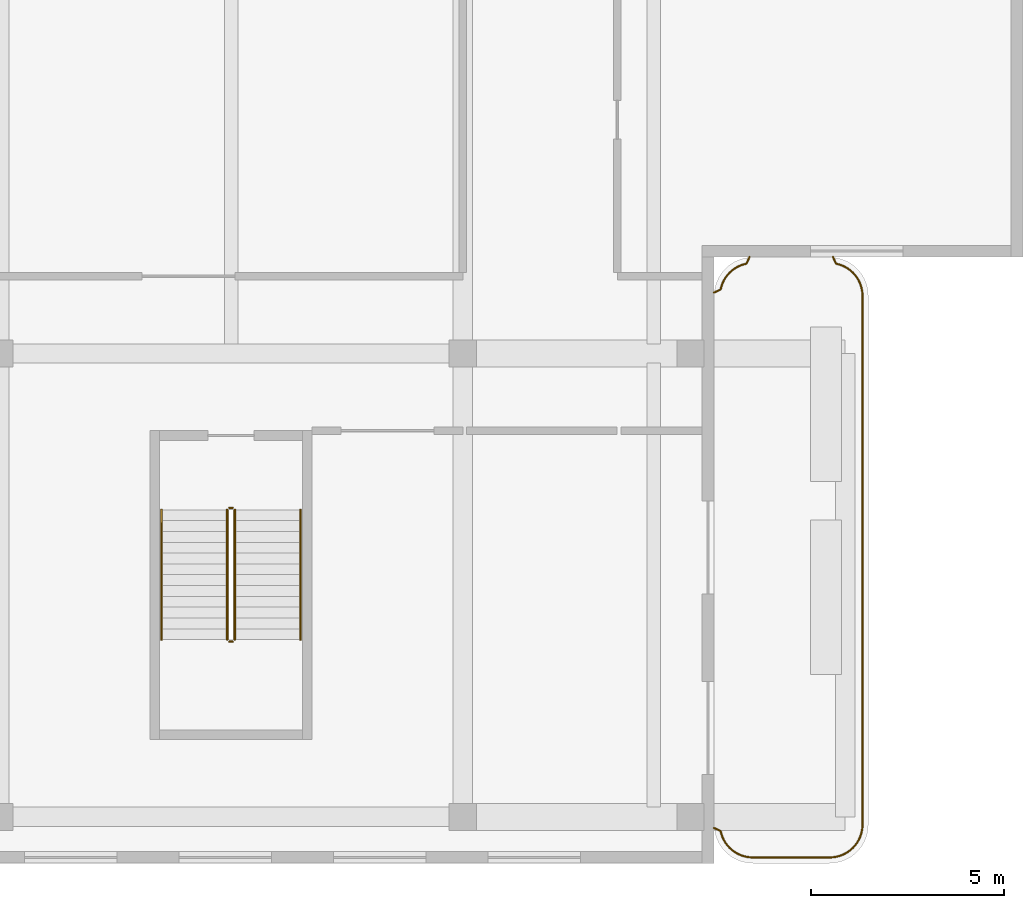
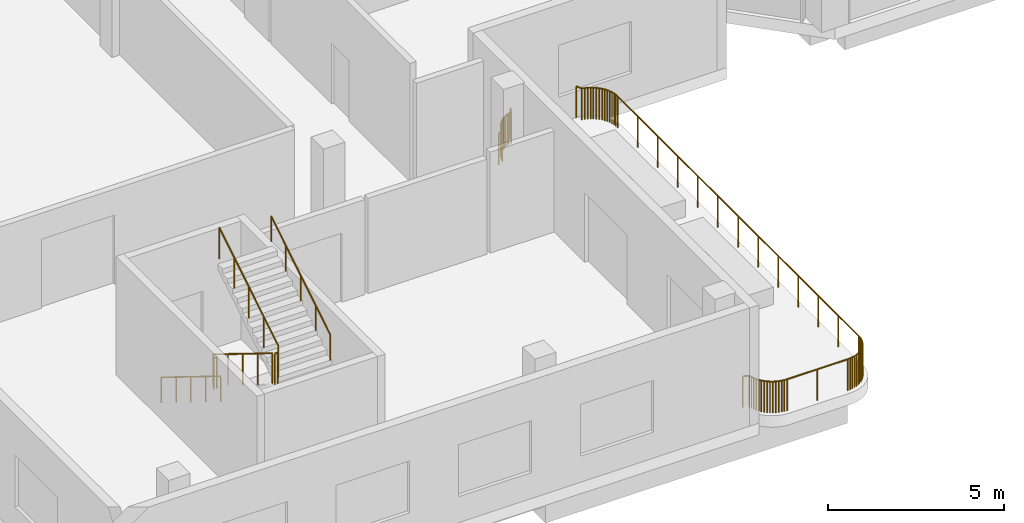
# One storey, part 28 of 36: 8 railings.
"""IFC4 building model written with IfcOpenShell, lengths in metres."""

from ifc_helpers import new_model, si_unit, direction, frame, origin, origin_2d, place, context, subcontext, project, spatial, circle, extrude, material, type_object, element, save


model = new_model("IFC4")

# Units and contexts
model_context = context("Model", 3, precision=1e-05, world=origin(), true_north=direction((0.0, 1.0)))
body_context = subcontext(model_context, "Body", "Model", "MODEL_VIEW")
ifc_project = project(units=[si_unit("LENGTHUNIT", "METRE"), si_unit("AREAUNIT", "SQUARE_METRE"), si_unit("VOLUMEUNIT", "CUBIC_METRE"), si_unit("PLANEANGLEUNIT", "RADIAN"), si_unit("MASSUNIT", "GRAM", prefix="KILO")], contexts=[model_context])

# Site, building, storey
site_placement = place(None, origin())
site = spatial("IfcSite", under=ifc_project, at=site_placement, CompositionType="ELEMENT")
building_placement = place(site_placement, origin())
building = spatial("IfcBuilding", under=site, at=building_placement, Name="Kilnfold Tower and Market Hall", CompositionType="ELEMENT")
storey_placement = place(building_placement, frame((0.0, 0.0, 18.0)))
storey = spatial("IfcBuildingStorey", under=building, at=storey_placement, Name="L03", CompositionType="ELEMENT", Elevation=18.0)

# Railings
ifc_material_1 = material(Name="Steel S355", Category="steel")
railing_type_1 = type_object("IfcRailingType", Name="HALL STAIR GUARD 1100", PredefinedType="GUARDRAIL", material=ifc_material_1)
railing_1_placement = place(storey_placement, frame((-48.75, -34.699951171875, 0.173095703125)))
element("IfcRailing", 1, at=railing_1_placement, inside=storey, type_object=railing_type_1, Name="L03 MS1 stair guard 1", PredefinedType="GUARDRAIL", context=body_context, shape_type="SweptSolid", body=[
    extrude(circle(Radius=0.02392578125, at=origin_2d()), frame((0.0, 0.0, 1.076171875), z_axis=(0.0, -0.850623216509, 0.525775754039), x_axis=(1.0, 0.0, 0.0)), (0.0, 0.0, 1.0), 3.9501953125),
    extrude(circle(Radius=0.02099609375, at=origin_2d()), origin(), (0.0, 0.0, 1.0), 1.052001953125),
    extrude(circle(Radius=0.02099609375, at=origin_2d()), frame((0.0, -0.840087890625, 0.519287109375)), (0.0, 0.0, 1.0), 1.052001953125),
    extrude(circle(Radius=0.02099609375, at=origin_2d()), frame((0.0, -1.68017578125, 1.03857421875)), (0.0, 0.0, 1.0), 1.052001953125),
    extrude(circle(Radius=0.02099609375, at=origin_2d()), frame((0.0, -2.52001953125, 1.5576171875)), (0.0, 0.0, 1.0), 1.052001953125),
    extrude(circle(Radius=0.02099609375, at=origin_2d()), frame((0.0, -3.360107421875, 2.076904296875)), (0.0, 0.0, 1.0), 1.052001953125),
])
railing_2_placement = place(storey_placement, frame((-48.699951171875, -38.110107421875, 2.25)))
element("IfcRailing", 2, at=railing_2_placement, inside=storey, type_object=railing_type_1, Name="L03 MS1 stair guard 2", PredefinedType="GUARDRAIL", context=body_context, shape_type="SweptSolid", body=[
    extrude(circle(Radius=0.02392578125, at=origin_2d()), frame((0.0, 0.0, 1.076171875), z_axis=(1.0, 0.0, 0.0), x_axis=(0.0, 1.0, 0.0)), (0.0, 0.0, 1.0), 0.099853515625),
    extrude(circle(Radius=0.02099609375, at=origin_2d()), origin(), (0.0, 0.0, 1.0), 1.052001953125),
    extrude(circle(Radius=0.02099609375, at=origin_2d()), frame((0.099853515625, 0.0, 0.0)), (0.0, 0.0, 1.0), 1.052001953125),
])
railing_3_placement = place(storey_placement, frame((-48.550048828125, -38.06005859375, 2.423095703125)))
element("IfcRailing", 3, at=railing_3_placement, inside=storey, type_object=railing_type_1, Name="L03 MS1 stair guard 3", PredefinedType="GUARDRAIL", context=body_context, shape_type="SweptSolid", body=[
    extrude(circle(Radius=0.02392578125, at=origin_2d()), frame((0.0, 0.0, 1.076171875), z_axis=(0.0, 0.850623216509, 0.525775754039), x_axis=(-1.0, 0.0, 0.0)), (0.0, 0.0, 1.0), 3.9501953125),
    extrude(circle(Radius=0.02099609375, at=origin_2d()), origin(), (0.0, 0.0, 1.0), 1.052001953125),
    extrude(circle(Radius=0.02099609375, at=origin_2d()), frame((0.0, 0.840087890625, 0.519287109375)), (0.0, 0.0, 1.0), 1.052001953125),
    extrude(circle(Radius=0.02099609375, at=origin_2d()), frame((0.0, 1.68017578125, 1.03857421875)), (0.0, 0.0, 1.0), 1.052001953125),
    extrude(circle(Radius=0.02099609375, at=origin_2d()), frame((0.0, 2.52001953125, 1.5576171875)), (0.0, 0.0, 1.0), 1.052001953125),
    extrude(circle(Radius=0.02099609375, at=origin_2d()), frame((0.0, 3.360107421875, 2.076904296875)), (0.0, 0.0, 1.0), 1.052001953125),
])
railing_4_placement = place(storey_placement, frame((-48.699951171875, -34.64990234375, 0.0)))
element("IfcRailing", 4, at=railing_4_placement, inside=storey, type_object=railing_type_1, Name="L03 MS1 stair guard 4", PredefinedType="GUARDRAIL", context=body_context, shape_type="SweptSolid", body=[
    extrude(circle(Radius=0.02392578125, at=origin_2d()), frame((0.0, 0.0, 1.076171875), z_axis=(1.0, 0.0, 0.0), x_axis=(0.0, 1.0, 0.0)), (0.0, 0.0, 1.0), 0.099853515625),
    extrude(circle(Radius=0.02099609375, at=origin_2d()), origin(), (0.0, 0.0, 1.0), 1.052001953125),
    extrude(circle(Radius=0.02099609375, at=origin_2d()), frame((0.099853515625, 0.0, 0.0)), (0.0, 0.0, 1.0), 1.052001953125),
])
ifc_material_2 = material(Name="Steel S355", Category="steel")
railing_type_2 = type_object("IfcRailingType", Name="HALL STAIR HANDRAIL", PredefinedType="HANDRAIL", material=ifc_material_2)
railing_5_placement = place(storey_placement, frame((-50.449951171875, -34.699951171875, 0.173095703125)))
element("IfcRailing", 5, at=railing_5_placement, inside=storey, type_object=railing_type_2, Name="L03 MS1 stair handrail 1", PredefinedType="HANDRAIL", context=body_context, shape_type="SweptSolid", body=[
    extrude(circle(Radius=0.02392578125, at=origin_2d()), frame((0.0, 0.0, 0.8759765625), z_axis=(0.0, -0.850623216509, 0.525775754039), x_axis=(1.0, 0.0, 0.0)), (0.0, 0.0, 1.0), 3.9501953125),
    extrude(circle(Radius=0.02099609375, at=origin_2d()), origin(), (0.0, 0.0, 1.0), 0.851806640625),
    extrude(circle(Radius=0.02099609375, at=origin_2d()), frame((0.0, -0.840087890625, 0.519287109375)), (0.0, 0.0, 1.0), 0.851806640625),
    extrude(circle(Radius=0.02099609375, at=origin_2d()), frame((0.0, -1.68017578125, 1.03857421875)), (0.0, 0.0, 1.0), 0.851806640625),
    extrude(circle(Radius=0.02099609375, at=origin_2d()), frame((0.0, -2.52001953125, 1.5576171875)), (0.0, 0.0, 1.0), 0.851806640625),
    extrude(circle(Radius=0.02099609375, at=origin_2d()), frame((0.0, -3.360107421875, 2.076904296875)), (0.0, 0.0, 1.0), 0.851806640625),
])
railing_6_placement = place(storey_placement, frame((-46.85009765625, -38.06005859375, 2.423095703125)))
element("IfcRailing", 6, at=railing_6_placement, inside=storey, type_object=railing_type_2, Name="L03 MS1 stair handrail 2", PredefinedType="HANDRAIL", context=body_context, shape_type="SweptSolid", body=[
    extrude(circle(Radius=0.02392578125, at=origin_2d()), frame((0.0, 0.0, 0.8759765625), z_axis=(0.0, 0.850623216509, 0.525775754039), x_axis=(-1.0, 0.0, 0.0)), (0.0, 0.0, 1.0), 3.9501953125),
    extrude(circle(Radius=0.02099609375, at=origin_2d()), origin(), (0.0, 0.0, 1.0), 0.851806640625),
    extrude(circle(Radius=0.02099609375, at=origin_2d()), frame((0.0, 0.840087890625, 0.519287109375)), (0.0, 0.0, 1.0), 0.851806640625),
    extrude(circle(Radius=0.02099609375, at=origin_2d()), frame((0.0, 1.68017578125, 1.03857421875)), (0.0, 0.0, 1.0), 0.851806640625),
    extrude(circle(Radius=0.02099609375, at=origin_2d()), frame((0.0, 2.52001953125, 1.5576171875)), (0.0, 0.0, 1.0), 0.851806640625),
    extrude(circle(Radius=0.02099609375, at=origin_2d()), frame((0.0, 3.360107421875, 2.076904296875)), (0.0, 0.0, 1.0), 0.851806640625),
])
ifc_material_3 = material(Name="Steel S355", Category="steel")
railing_type_3 = type_object("IfcRailingType", Name="TERRACE GUARD 1100", PredefinedType="GUARDRAIL", material=ifc_material_3)
railing_7_placement = place(storey_placement, frame((-33.066650390625, -28.14990234375, 0.0)))
element("IfcRailing", 7, at=railing_7_placement, inside=storey, type_object=railing_type_3, Name="Terrace guard L03", PredefinedType="GUARDRAIL", context=body_context, shape_type="SweptSolid", body=[
    extrude(circle(Radius=0.02392578125, at=origin_2d()), frame((0.0, 0.0, 1.076171875), z_axis=(0.42350270475, -0.905894838858, 0.0), x_axis=(0.905894838858, 0.42350270475, 0.0)), (0.0, 0.0, 1.0), 0.19482421875),
    extrude(circle(Radius=0.02392578125, at=origin_2d()), frame((0.08251953125, -0.176513671875, 1.076171875), z_axis=(0.969969877317, -0.243225074977, 0.0), x_axis=(0.243225074977, 0.969969877317, 0.0)), (0.0, 0.0, 1.0), 0.083251953125),
    extrude(circle(Radius=0.02392578125, at=origin_2d()), frame((0.163330078125, -0.19677734375, 1.076171875), z_axis=(0.940812896161, -0.338926384952, 0.0), x_axis=(0.338926384952, 0.940812896161, 0.0)), (0.0, 0.0, 1.0), 0.08349609375),
    extrude(circle(Radius=0.02392578125, at=origin_2d()), frame((0.241943359375, -0.22509765625, 1.076171875), z_axis=(0.904752118748, -0.425938497463, 0.0), x_axis=(0.425938497463, 0.904752118748, 0.0)), (0.0, 0.0, 1.0), 0.0830078125),
    extrude(circle(Radius=0.02392578125, at=origin_2d()), frame((0.317138671875, -0.260498046875, 1.076171875), z_axis=(0.857234666397, -0.514925942955, 0.0), x_axis=(0.514925942955, 0.857234666397, 0.0)), (0.0, 0.0, 1.0), 0.08349609375),
    extrude(circle(Radius=0.02392578125, at=origin_2d()), frame((0.388671875, -0.303466796875, 1.076171875), z_axis=(0.803143107794, -0.595786159963, 0.0), x_axis=(0.595786159963, 0.803143107794, 0.0)), (0.0, 0.0, 1.0), 0.08349609375),
    extrude(circle(Radius=0.02392578125, at=origin_2d()), frame((0.455810546875, -0.353271484375, 1.076171875), z_axis=(0.741396915291, -0.671066773129, 0.0), x_axis=(0.671066773129, 0.741396915291, 0.0)), (0.0, 0.0, 1.0), 0.083251953125),
    extrude(circle(Radius=0.02392578125, at=origin_2d()), frame((0.517578125, -0.4091796875, 1.076171875), z_axis=(0.671066773129, -0.741396915291, 0.0), x_axis=(0.741396915291, 0.671066773129, 0.0)), (0.0, 0.0, 1.0), 0.083251953125),
    extrude(circle(Radius=0.02392578125, at=origin_2d()), frame((0.573486328125, -0.470947265625, 1.076171875), z_axis=(0.595786159963, -0.803143107794, 0.0), x_axis=(0.803143107794, 0.595786159963, 0.0)), (0.0, 0.0, 1.0), 0.08349609375),
    extrude(circle(Radius=0.02392578125, at=origin_2d()), frame((0.623291015625, -0.5380859375, 1.076171875), z_axis=(0.514925942955, -0.857234666397, 0.0), x_axis=(0.857234666397, 0.514925942955, 0.0)), (0.0, 0.0, 1.0), 0.08349609375),
    extrude(circle(Radius=0.02392578125, at=origin_2d()), frame((0.666259765625, -0.609619140625, 1.076171875), z_axis=(0.425938497463, -0.904752118748, 0.0), x_axis=(0.904752118748, 0.425938497463, 0.0)), (0.0, 0.0, 1.0), 0.0830078125),
    extrude(circle(Radius=0.02392578125, at=origin_2d()), frame((0.70166015625, -0.684814453125, 1.076171875), z_axis=(0.336336396998, -0.941741911595, 0.0), x_axis=(0.941741911595, 0.336336396998, 0.0)), (0.0, 0.0, 1.0), 0.08349609375),
    extrude(circle(Radius=0.02392578125, at=origin_2d()), frame((0.729736328125, -0.763427734375, 1.076171875), z_axis=(0.245979182383, -0.969275111531, 0.0), x_axis=(0.969275111531, 0.245979182383, 0.0)), (0.0, 0.0, 1.0), 0.083251953125),
    extrude(circle(Radius=0.02392578125, at=origin_2d()), frame((0.750244140625, -0.84423828125, 1.076171875), z_axis=(0.146336518873, -0.989234867584, 0.0), x_axis=(0.989234867584, 0.146336518873, 0.0)), (0.0, 0.0, 1.0), 0.08349609375),
    extrude(circle(Radius=0.02392578125, at=origin_2d()), frame((0.762451171875, -0.9267578125, 1.076171875), z_axis=(0.047565149415, -0.998868137724, 0.0), x_axis=(0.998868137724, 0.047565149415, 0.0)), (0.0, 0.0, 1.0), 0.087158203125),
    extrude(circle(Radius=0.02392578125, at=origin_2d()), frame((0.7666015625, -1.013916015625, 1.076171875), z_axis=(0.0, -1.0, 0.0), x_axis=(1.0, 0.0, 0.0)), (0.0, 0.0, 1.0), 13.682373046875),
    extrude(circle(Radius=0.02392578125, at=origin_2d()), frame((0.7666015625, -14.6962890625, 1.076171875), z_axis=(-0.047565149415, -0.998868137724, 0.0), x_axis=(0.998868137724, -0.047565149415, 0.0)), (0.0, 0.0, 1.0), 0.087158203125),
    extrude(circle(Radius=0.02392578125, at=origin_2d()), frame((0.762451171875, -14.783447265625, 1.076171875), z_axis=(-0.146336518873, -0.989234867584, 0.0), x_axis=(0.989234867584, -0.146336518873, 0.0)), (0.0, 0.0, 1.0), 0.08349609375),
    extrude(circle(Radius=0.02392578125, at=origin_2d()), frame((0.750244140625, -14.865966796875, 1.076171875), z_axis=(-0.245979182383, -0.969275111531, 0.0), x_axis=(0.969275111531, -0.245979182383, 0.0)), (0.0, 0.0, 1.0), 0.083251953125),
    extrude(circle(Radius=0.02392578125, at=origin_2d()), frame((0.729736328125, -14.94677734375, 1.076171875), z_axis=(-0.336336396998, -0.941741911595, 0.0), x_axis=(0.941741911595, -0.336336396998, 0.0)), (0.0, 0.0, 1.0), 0.08349609375),
    extrude(circle(Radius=0.02392578125, at=origin_2d()), frame((0.70166015625, -15.025390625, 1.076171875), z_axis=(-0.425938497463, -0.904752118748, 0.0), x_axis=(0.904752118748, -0.425938497463, 0.0)), (0.0, 0.0, 1.0), 0.0830078125),
    extrude(circle(Radius=0.02392578125, at=origin_2d()), frame((0.666259765625, -15.1005859375, 1.076171875), z_axis=(-0.514925942955, -0.857234666397, 0.0), x_axis=(0.857234666397, -0.514925942955, 0.0)), (0.0, 0.0, 1.0), 0.08349609375),
    extrude(circle(Radius=0.02392578125, at=origin_2d()), frame((0.623291015625, -15.172119140625, 1.076171875), z_axis=(-0.595786159963, -0.803143107794, 0.0), x_axis=(0.803143107794, -0.595786159963, 0.0)), (0.0, 0.0, 1.0), 0.08349609375),
    extrude(circle(Radius=0.02392578125, at=origin_2d()), frame((0.573486328125, -15.2392578125, 1.076171875), z_axis=(-0.671066773129, -0.741396915291, 0.0), x_axis=(0.741396915291, -0.671066773129, 0.0)), (0.0, 0.0, 1.0), 0.083251953125),
    extrude(circle(Radius=0.02392578125, at=origin_2d()), frame((0.517578125, -15.301025390625, 1.076171875), z_axis=(-0.741396915291, -0.671066773129, 0.0), x_axis=(0.671066773129, -0.741396915291, 0.0)), (0.0, 0.0, 1.0), 0.083251953125),
    extrude(circle(Radius=0.02392578125, at=origin_2d()), frame((0.455810546875, -15.35693359375, 1.076171875), z_axis=(-0.803143107794, -0.595786159963, 0.0), x_axis=(0.595786159963, -0.803143107794, 0.0)), (0.0, 0.0, 1.0), 0.08349609375),
    extrude(circle(Radius=0.02392578125, at=origin_2d()), frame((0.388671875, -15.40673828125, 1.076171875), z_axis=(-0.857234666397, -0.514925942955, 0.0), x_axis=(0.514925942955, -0.857234666397, 0.0)), (0.0, 0.0, 1.0), 0.08349609375),
    extrude(circle(Radius=0.02392578125, at=origin_2d()), frame((0.317138671875, -15.44970703125, 1.076171875), z_axis=(-0.904752118748, -0.425938497463, 0.0), x_axis=(0.425938497463, -0.904752118748, 0.0)), (0.0, 0.0, 1.0), 0.0830078125),
    extrude(circle(Radius=0.02392578125, at=origin_2d()), frame((0.241943359375, -15.485107421875, 1.076171875), z_axis=(-0.941741911595, -0.336336396998, 0.0), x_axis=(0.336336396998, -0.941741911595, 0.0)), (0.0, 0.0, 1.0), 0.08349609375),
    extrude(circle(Radius=0.02392578125, at=origin_2d()), frame((0.163330078125, -15.51318359375, 1.076171875), z_axis=(-0.969275111531, -0.245979182383, 0.0), x_axis=(0.245979182383, -0.969275111531, 0.0)), (0.0, 0.0, 1.0), 0.083251953125),
    extrude(circle(Radius=0.02392578125, at=origin_2d()), frame((0.08251953125, -15.53369140625, 1.076171875), z_axis=(-0.989234867584, -0.146336518873, 0.0), x_axis=(0.146336518873, -0.989234867584, 0.0)), (0.0, 0.0, 1.0), 0.08349609375),
    extrude(circle(Radius=0.02392578125, at=origin_2d()), frame((0.0, -15.5458984375, 1.076171875), z_axis=(-0.998868137724, -0.047565149415, 0.0), x_axis=(0.047565149415, -0.998868137724, 0.0)), (0.0, 0.0, 1.0), 0.087158203125),
    extrude(circle(Radius=0.02392578125, at=origin_2d()), frame((-0.087158203125, -15.550048828125, 1.076171875), z_axis=(-1.0, 0.0, 0.0), x_axis=(0.0, -1.0, 0.0)), (0.0, 0.0, 1.0), 1.982421875),
    extrude(circle(Radius=0.02392578125, at=origin_2d()), frame((-2.069580078125, -15.550048828125, 1.076171875), z_axis=(-0.998868137724, 0.047565149415, 0.0), x_axis=(-0.047565149415, -0.998868137724, 0.0)), (0.0, 0.0, 1.0), 0.087158203125),
    extrude(circle(Radius=0.02392578125, at=origin_2d()), frame((-2.15673828125, -15.5458984375, 1.076171875), z_axis=(-0.989234867584, 0.146336518873, 0.0), x_axis=(-0.146336518873, -0.989234867584, 0.0)), (0.0, 0.0, 1.0), 0.08349609375),
    extrude(circle(Radius=0.02392578125, at=origin_2d()), frame((-2.2392578125, -15.53369140625, 1.076171875), z_axis=(-0.969275111531, 0.245979182383, 0.0), x_axis=(-0.245979182383, -0.969275111531, 0.0)), (0.0, 0.0, 1.0), 0.083251953125),
    extrude(circle(Radius=0.02392578125, at=origin_2d()), frame((-2.320068359375, -15.51318359375, 1.076171875), z_axis=(-0.941409695483, 0.337265155703, 0.0), x_axis=(-0.337265155703, -0.941409695483, 0.0)), (0.0, 0.0, 1.0), 0.083251953125),
    extrude(circle(Radius=0.02392578125, at=origin_2d()), frame((-2.3984375, -15.485107421875, 1.076171875), z_axis=(-0.905282934346, 0.424809143949, 0.0), x_axis=(-0.424809143949, -0.905282934346, 0.0)), (0.0, 0.0, 1.0), 0.083251953125),
    extrude(circle(Radius=0.02392578125, at=origin_2d()), frame((-2.473876953125, -15.44970703125, 1.076171875), z_axis=(-0.857234666397, 0.514925942955, 0.0), x_axis=(-0.514925942955, -0.857234666397, 0.0)), (0.0, 0.0, 1.0), 0.08349609375),
    extrude(circle(Radius=0.02392578125, at=origin_2d()), frame((-2.54541015625, -15.40673828125, 1.076171875), z_axis=(-0.803143107794, 0.595786159963, 0.0), x_axis=(-0.595786159963, -0.803143107794, 0.0)), (0.0, 0.0, 1.0), 0.08349609375),
    extrude(circle(Radius=0.02392578125, at=origin_2d()), frame((-2.612548828125, -15.35693359375, 1.076171875), z_axis=(-0.741396915291, 0.671066773129, 0.0), x_axis=(-0.671066773129, -0.741396915291, 0.0)), (0.0, 0.0, 1.0), 0.083251953125),
    extrude(circle(Radius=0.02392578125, at=origin_2d()), frame((-2.67431640625, -15.301025390625, 1.076171875), z_axis=(-0.671066773129, 0.741396915291, 0.0), x_axis=(-0.741396915291, -0.671066773129, 0.0)), (0.0, 0.0, 1.0), 0.083251953125),
    extrude(circle(Radius=0.02392578125, at=origin_2d()), frame((-2.730224609375, -15.2392578125, 1.076171875), z_axis=(-0.595786159963, 0.803143107794, 0.0), x_axis=(-0.803143107794, -0.595786159963, 0.0)), (0.0, 0.0, 1.0), 0.08349609375),
    extrude(circle(Radius=0.02392578125, at=origin_2d()), frame((-2.780029296875, -15.172119140625, 1.076171875), z_axis=(-0.512771115683, 0.858525353686, 0.0), x_axis=(-0.858525353686, -0.512771115683, 0.0)), (0.0, 0.0, 1.0), 0.083251953125),
    extrude(circle(Radius=0.02392578125, at=origin_2d()), frame((-2.82275390625, -15.1005859375, 1.076171875), z_axis=(-0.428338557428, 0.903618326629, 0.0), x_axis=(-0.903618326629, -0.428338557428, 0.0)), (0.0, 0.0, 1.0), 0.083251953125),
    extrude(circle(Radius=0.02392578125, at=origin_2d()), frame((-2.8583984375, -15.025390625, 1.076171875), z_axis=(-0.336336396998, 0.941741911595, 0.0), x_axis=(-0.941741911595, -0.336336396998, 0.0)), (0.0, 0.0, 1.0), 0.08349609375),
    extrude(circle(Radius=0.02392578125, at=origin_2d()), frame((-2.886474609375, -14.94677734375, 1.076171875), z_axis=(-0.243225074977, 0.969969877317, 0.0), x_axis=(-0.969969877317, -0.243225074977, 0.0)), (0.0, 0.0, 1.0), 0.083251953125),
    extrude(circle(Radius=0.02392578125, at=origin_2d()), frame((-2.90673828125, -14.865966796875, 1.076171875), z_axis=(-0.905894838858, 0.42350270475, 0.0), x_axis=(-0.42350270475, -0.905894838858, 0.0)), (0.0, 0.0, 1.0), 0.19482421875),
    extrude(circle(Radius=0.02099609375, at=origin_2d()), origin(), (0.0, 0.0, 1.0), 1.052001953125),
    extrude(circle(Radius=0.02099609375, at=origin_2d()), frame((0.08251953125, -0.176513671875, 0.0)), (0.0, 0.0, 1.0), 1.052001953125),
    extrude(circle(Radius=0.02099609375, at=origin_2d()), frame((0.163330078125, -0.19677734375, 0.0)), (0.0, 0.0, 1.0), 1.052001953125),
    extrude(circle(Radius=0.02099609375, at=origin_2d()), frame((0.241943359375, -0.22509765625, 0.0)), (0.0, 0.0, 1.0), 1.052001953125),
    extrude(circle(Radius=0.02099609375, at=origin_2d()), frame((0.317138671875, -0.260498046875, 0.0)), (0.0, 0.0, 1.0), 1.052001953125),
    extrude(circle(Radius=0.02099609375, at=origin_2d()), frame((0.388671875, -0.303466796875, 0.0)), (0.0, 0.0, 1.0), 1.052001953125),
    extrude(circle(Radius=0.02099609375, at=origin_2d()), frame((0.455810546875, -0.353271484375, 0.0)), (0.0, 0.0, 1.0), 1.052001953125),
    extrude(circle(Radius=0.02099609375, at=origin_2d()), frame((0.517578125, -0.4091796875, 0.0)), (0.0, 0.0, 1.0), 1.052001953125),
    extrude(circle(Radius=0.02099609375, at=origin_2d()), frame((0.573486328125, -0.470947265625, 0.0)), (0.0, 0.0, 1.0), 1.052001953125),
    extrude(circle(Radius=0.02099609375, at=origin_2d()), frame((0.623291015625, -0.5380859375, 0.0)), (0.0, 0.0, 1.0), 1.052001953125),
    extrude(circle(Radius=0.02099609375, at=origin_2d()), frame((0.666259765625, -0.609619140625, 0.0)), (0.0, 0.0, 1.0), 1.052001953125),
    extrude(circle(Radius=0.02099609375, at=origin_2d()), frame((0.70166015625, -0.684814453125, 0.0)), (0.0, 0.0, 1.0), 1.052001953125),
    extrude(circle(Radius=0.02099609375, at=origin_2d()), frame((0.729736328125, -0.763427734375, 0.0)), (0.0, 0.0, 1.0), 1.052001953125),
    extrude(circle(Radius=0.02099609375, at=origin_2d()), frame((0.750244140625, -0.84423828125, 0.0)), (0.0, 0.0, 1.0), 1.052001953125),
    extrude(circle(Radius=0.02099609375, at=origin_2d()), frame((0.762451171875, -0.9267578125, 0.0)), (0.0, 0.0, 1.0), 1.052001953125),
    extrude(circle(Radius=0.02099609375, at=origin_2d()), frame((0.7666015625, -1.013916015625, 0.0)), (0.0, 0.0, 1.0), 1.052001953125),
    extrude(circle(Radius=0.02099609375, at=origin_2d()), frame((0.7666015625, -2.154052734375, 0.0)), (0.0, 0.0, 1.0), 1.052001953125),
    extrude(circle(Radius=0.02099609375, at=origin_2d()), frame((0.7666015625, -3.29443359375, 0.0)), (0.0, 0.0, 1.0), 1.052001953125),
    extrude(circle(Radius=0.02099609375, at=origin_2d()), frame((0.7666015625, -4.4345703125, 0.0)), (0.0, 0.0, 1.0), 1.052001953125),
    extrude(circle(Radius=0.02099609375, at=origin_2d()), frame((0.7666015625, -5.57470703125, 0.0)), (0.0, 0.0, 1.0), 1.052001953125),
    extrude(circle(Radius=0.02099609375, at=origin_2d()), frame((0.7666015625, -6.71484375, 0.0)), (0.0, 0.0, 1.0), 1.052001953125),
    extrude(circle(Radius=0.02099609375, at=origin_2d()), frame((0.7666015625, -7.85498046875, 0.0)), (0.0, 0.0, 1.0), 1.052001953125),
    extrude(circle(Radius=0.02099609375, at=origin_2d()), frame((0.7666015625, -8.995361328125, 0.0)), (0.0, 0.0, 1.0), 1.052001953125),
    extrude(circle(Radius=0.02099609375, at=origin_2d()), frame((0.7666015625, -10.135498046875, 0.0)), (0.0, 0.0, 1.0), 1.052001953125),
    extrude(circle(Radius=0.02099609375, at=origin_2d()), frame((0.7666015625, -11.275634765625, 0.0)), (0.0, 0.0, 1.0), 1.052001953125),
    extrude(circle(Radius=0.02099609375, at=origin_2d()), frame((0.7666015625, -12.416015625, 0.0)), (0.0, 0.0, 1.0), 1.052001953125),
    extrude(circle(Radius=0.02099609375, at=origin_2d()), frame((0.7666015625, -13.55615234375, 0.0)), (0.0, 0.0, 1.0), 1.052001953125),
    extrude(circle(Radius=0.02099609375, at=origin_2d()), frame((0.7666015625, -14.6962890625, 0.0)), (0.0, 0.0, 1.0), 1.052001953125),
    extrude(circle(Radius=0.02099609375, at=origin_2d()), frame((0.762451171875, -14.783447265625, 0.0)), (0.0, 0.0, 1.0), 1.052001953125),
    extrude(circle(Radius=0.02099609375, at=origin_2d()), frame((0.750244140625, -14.865966796875, 0.0)), (0.0, 0.0, 1.0), 1.052001953125),
    extrude(circle(Radius=0.02099609375, at=origin_2d()), frame((0.729736328125, -14.94677734375, 0.0)), (0.0, 0.0, 1.0), 1.052001953125),
    extrude(circle(Radius=0.02099609375, at=origin_2d()), frame((0.70166015625, -15.025390625, 0.0)), (0.0, 0.0, 1.0), 1.052001953125),
    extrude(circle(Radius=0.02099609375, at=origin_2d()), frame((0.666259765625, -15.1005859375, 0.0)), (0.0, 0.0, 1.0), 1.052001953125),
    extrude(circle(Radius=0.02099609375, at=origin_2d()), frame((0.623291015625, -15.172119140625, 0.0)), (0.0, 0.0, 1.0), 1.052001953125),
    extrude(circle(Radius=0.02099609375, at=origin_2d()), frame((0.573486328125, -15.2392578125, 0.0)), (0.0, 0.0, 1.0), 1.052001953125),
    extrude(circle(Radius=0.02099609375, at=origin_2d()), frame((0.517578125, -15.301025390625, 0.0)), (0.0, 0.0, 1.0), 1.052001953125),
    extrude(circle(Radius=0.02099609375, at=origin_2d()), frame((0.455810546875, -15.35693359375, 0.0)), (0.0, 0.0, 1.0), 1.052001953125),
    extrude(circle(Radius=0.02099609375, at=origin_2d()), frame((0.388671875, -15.40673828125, 0.0)), (0.0, 0.0, 1.0), 1.052001953125),
    extrude(circle(Radius=0.02099609375, at=origin_2d()), frame((0.317138671875, -15.44970703125, 0.0)), (0.0, 0.0, 1.0), 1.052001953125),
    extrude(circle(Radius=0.02099609375, at=origin_2d()), frame((0.241943359375, -15.485107421875, 0.0)), (0.0, 0.0, 1.0), 1.052001953125),
    extrude(circle(Radius=0.02099609375, at=origin_2d()), frame((0.163330078125, -15.51318359375, 0.0)), (0.0, 0.0, 1.0), 1.052001953125),
    extrude(circle(Radius=0.02099609375, at=origin_2d()), frame((0.08251953125, -15.53369140625, 0.0)), (0.0, 0.0, 1.0), 1.052001953125),
    extrude(circle(Radius=0.02099609375, at=origin_2d()), frame((0.0, -15.5458984375, 0.0)), (0.0, 0.0, 1.0), 1.052001953125),
    extrude(circle(Radius=0.02099609375, at=origin_2d()), frame((-0.087158203125, -15.550048828125, 0.0)), (0.0, 0.0, 1.0), 1.052001953125),
    extrude(circle(Radius=0.02099609375, at=origin_2d()), frame((-1.078369140625, -15.550048828125, 0.0)), (0.0, 0.0, 1.0), 1.052001953125),
    extrude(circle(Radius=0.02099609375, at=origin_2d()), frame((-2.069580078125, -15.550048828125, 0.0)), (0.0, 0.0, 1.0), 1.052001953125),
    extrude(circle(Radius=0.02099609375, at=origin_2d()), frame((-2.15673828125, -15.5458984375, 0.0)), (0.0, 0.0, 1.0), 1.052001953125),
    extrude(circle(Radius=0.02099609375, at=origin_2d()), frame((-2.2392578125, -15.53369140625, 0.0)), (0.0, 0.0, 1.0), 1.052001953125),
    extrude(circle(Radius=0.02099609375, at=origin_2d()), frame((-2.320068359375, -15.51318359375, 0.0)), (0.0, 0.0, 1.0), 1.052001953125),
    extrude(circle(Radius=0.02099609375, at=origin_2d()), frame((-2.3984375, -15.485107421875, 0.0)), (0.0, 0.0, 1.0), 1.052001953125),
    extrude(circle(Radius=0.02099609375, at=origin_2d()), frame((-2.473876953125, -15.44970703125, 0.0)), (0.0, 0.0, 1.0), 1.052001953125),
    extrude(circle(Radius=0.02099609375, at=origin_2d()), frame((-2.54541015625, -15.40673828125, 0.0)), (0.0, 0.0, 1.0), 1.052001953125),
    extrude(circle(Radius=0.02099609375, at=origin_2d()), frame((-2.612548828125, -15.35693359375, 0.0)), (0.0, 0.0, 1.0), 1.052001953125),
    extrude(circle(Radius=0.02099609375, at=origin_2d()), frame((-2.67431640625, -15.301025390625, 0.0)), (0.0, 0.0, 1.0), 1.052001953125),
    extrude(circle(Radius=0.02099609375, at=origin_2d()), frame((-2.730224609375, -15.2392578125, 0.0)), (0.0, 0.0, 1.0), 1.052001953125),
    extrude(circle(Radius=0.02099609375, at=origin_2d()), frame((-2.780029296875, -15.172119140625, 0.0)), (0.0, 0.0, 1.0), 1.052001953125),
    extrude(circle(Radius=0.02099609375, at=origin_2d()), frame((-2.82275390625, -15.1005859375, 0.0)), (0.0, 0.0, 1.0), 1.052001953125),
    extrude(circle(Radius=0.02099609375, at=origin_2d()), frame((-2.8583984375, -15.025390625, 0.0)), (0.0, 0.0, 1.0), 1.052001953125),
    extrude(circle(Radius=0.02099609375, at=origin_2d()), frame((-2.886474609375, -14.94677734375, 0.0)), (0.0, 0.0, 1.0), 1.052001953125),
    extrude(circle(Radius=0.02099609375, at=origin_2d()), frame((-2.90673828125, -14.865966796875, 0.0)), (0.0, 0.0, 1.0), 1.052001953125),
    extrude(circle(Radius=0.02099609375, at=origin_2d()), frame((-3.083251953125, -14.783447265625, 0.0)), (0.0, 0.0, 1.0), 1.052001953125),
])
railing_8_placement = place(storey_placement, frame((-36.14990234375, -29.07666015625, 0.0)))
element("IfcRailing", 8, at=railing_8_placement, inside=storey, type_object=railing_type_3, Name="Terrace guard L03", PredefinedType="GUARDRAIL", context=body_context, shape_type="SweptSolid", body=[
    extrude(circle(Radius=0.02392578125, at=origin_2d()), frame((0.0, 0.0, 1.076171875), z_axis=(0.905894838858, 0.42350270475, 0.0), x_axis=(-0.42350270475, 0.905894838858, 0.0)), (0.0, 0.0, 1.0), 0.19482421875),
    extrude(circle(Radius=0.02392578125, at=origin_2d()), frame((0.176513671875, 0.08251953125, 1.076171875), z_axis=(0.243225074977, 0.969969877317, 0.0), x_axis=(-0.969969877317, 0.243225074977, 0.0)), (0.0, 0.0, 1.0), 0.083251953125),
    extrude(circle(Radius=0.02392578125, at=origin_2d()), frame((0.19677734375, 0.163330078125, 1.076171875), z_axis=(0.336336396998, 0.941741911595, 0.0), x_axis=(-0.941741911595, 0.336336396998, 0.0)), (0.0, 0.0, 1.0), 0.08349609375),
    extrude(circle(Radius=0.02392578125, at=origin_2d()), frame((0.224853515625, 0.241943359375, 1.076171875), z_axis=(0.428338557428, 0.903618326629, 0.0), x_axis=(-0.903618326629, 0.428338557428, 0.0)), (0.0, 0.0, 1.0), 0.083251953125),
    extrude(circle(Radius=0.02392578125, at=origin_2d()), frame((0.260498046875, 0.317138671875, 1.076171875), z_axis=(0.512771115683, 0.858525353686, 0.0), x_axis=(-0.858525353686, 0.512771115683, 0.0)), (0.0, 0.0, 1.0), 0.083251953125),
    extrude(circle(Radius=0.02392578125, at=origin_2d()), frame((0.30322265625, 0.388671875, 1.076171875), z_axis=(0.595786159963, 0.803143107794, 0.0), x_axis=(-0.803143107794, 0.595786159963, 0.0)), (0.0, 0.0, 1.0), 0.08349609375),
    extrude(circle(Radius=0.02392578125, at=origin_2d()), frame((0.35302734375, 0.455810546875, 1.076171875), z_axis=(0.671066773129, 0.741396915291, 0.0), x_axis=(-0.741396915291, 0.671066773129, 0.0)), (0.0, 0.0, 1.0), 0.083251953125),
    extrude(circle(Radius=0.02392578125, at=origin_2d()), frame((0.408935546875, 0.517578125, 1.076171875), z_axis=(0.741396915291, 0.671066773129, 0.0), x_axis=(-0.671066773129, 0.741396915291, 0.0)), (0.0, 0.0, 1.0), 0.083251953125),
    extrude(circle(Radius=0.02392578125, at=origin_2d()), frame((0.470703125, 0.573486328125, 1.076171875), z_axis=(0.803143107794, 0.595786159963, 0.0), x_axis=(-0.595786159963, 0.803143107794, 0.0)), (0.0, 0.0, 1.0), 0.08349609375),
    extrude(circle(Radius=0.02392578125, at=origin_2d()), frame((0.537841796875, 0.623291015625, 1.076171875), z_axis=(0.857234666397, 0.514925942955, 0.0), x_axis=(-0.514925942955, 0.857234666397, 0.0)), (0.0, 0.0, 1.0), 0.08349609375),
    extrude(circle(Radius=0.02392578125, at=origin_2d()), frame((0.609375, 0.666259765625, 1.076171875), z_axis=(0.905282934346, 0.424809143949, 0.0), x_axis=(-0.424809143949, 0.905282934346, 0.0)), (0.0, 0.0, 1.0), 0.083251953125),
    extrude(circle(Radius=0.02392578125, at=origin_2d()), frame((0.684814453125, 0.70166015625, 1.076171875), z_axis=(0.94047587938, 0.339860442393, 0.0), x_axis=(-0.339860442393, 0.94047587938, 0.0)), (0.0, 0.0, 1.0), 0.083251953125),
    extrude(circle(Radius=0.02392578125, at=origin_2d()), frame((0.76318359375, 0.72998046875, 1.076171875), z_axis=(0.969969877317, 0.243225074977, 0.0), x_axis=(-0.243225074977, 0.969969877317, 0.0)), (0.0, 0.0, 1.0), 0.083251953125),
    extrude(circle(Radius=0.02392578125, at=origin_2d()), frame((0.843994140625, 0.750244140625, 1.076171875), z_axis=(0.42350270475, 0.905894838858, 0.0), x_axis=(-0.905894838858, 0.42350270475, 0.0)), (0.0, 0.0, 1.0), 0.19482421875),
    extrude(circle(Radius=0.02099609375, at=origin_2d()), origin(), (0.0, 0.0, 1.0), 1.052001953125),
    extrude(circle(Radius=0.02099609375, at=origin_2d()), frame((0.176513671875, 0.08251953125, 0.0)), (0.0, 0.0, 1.0), 1.052001953125),
    extrude(circle(Radius=0.02099609375, at=origin_2d()), frame((0.19677734375, 0.163330078125, 0.0)), (0.0, 0.0, 1.0), 1.052001953125),
    extrude(circle(Radius=0.02099609375, at=origin_2d()), frame((0.224853515625, 0.241943359375, 0.0)), (0.0, 0.0, 1.0), 1.052001953125),
    extrude(circle(Radius=0.02099609375, at=origin_2d()), frame((0.260498046875, 0.317138671875, 0.0)), (0.0, 0.0, 1.0), 1.052001953125),
    extrude(circle(Radius=0.02099609375, at=origin_2d()), frame((0.30322265625, 0.388671875, 0.0)), (0.0, 0.0, 1.0), 1.052001953125),
    extrude(circle(Radius=0.02099609375, at=origin_2d()), frame((0.35302734375, 0.455810546875, 0.0)), (0.0, 0.0, 1.0), 1.052001953125),
    extrude(circle(Radius=0.02099609375, at=origin_2d()), frame((0.408935546875, 0.517578125, 0.0)), (0.0, 0.0, 1.0), 1.052001953125),
    extrude(circle(Radius=0.02099609375, at=origin_2d()), frame((0.470703125, 0.573486328125, 0.0)), (0.0, 0.0, 1.0), 1.052001953125),
    extrude(circle(Radius=0.02099609375, at=origin_2d()), frame((0.537841796875, 0.623291015625, 0.0)), (0.0, 0.0, 1.0), 1.052001953125),
    extrude(circle(Radius=0.02099609375, at=origin_2d()), frame((0.609375, 0.666259765625, 0.0)), (0.0, 0.0, 1.0), 1.052001953125),
    extrude(circle(Radius=0.02099609375, at=origin_2d()), frame((0.684814453125, 0.70166015625, 0.0)), (0.0, 0.0, 1.0), 1.052001953125),
    extrude(circle(Radius=0.02099609375, at=origin_2d()), frame((0.76318359375, 0.72998046875, 0.0)), (0.0, 0.0, 1.0), 1.052001953125),
    extrude(circle(Radius=0.02099609375, at=origin_2d()), frame((0.843994140625, 0.750244140625, 0.0)), (0.0, 0.0, 1.0), 1.052001953125),
    extrude(circle(Radius=0.02099609375, at=origin_2d()), frame((0.926513671875, 0.9267578125, 0.0)), (0.0, 0.0, 1.0), 1.052001953125),
])

save(model, "model.ifc")
